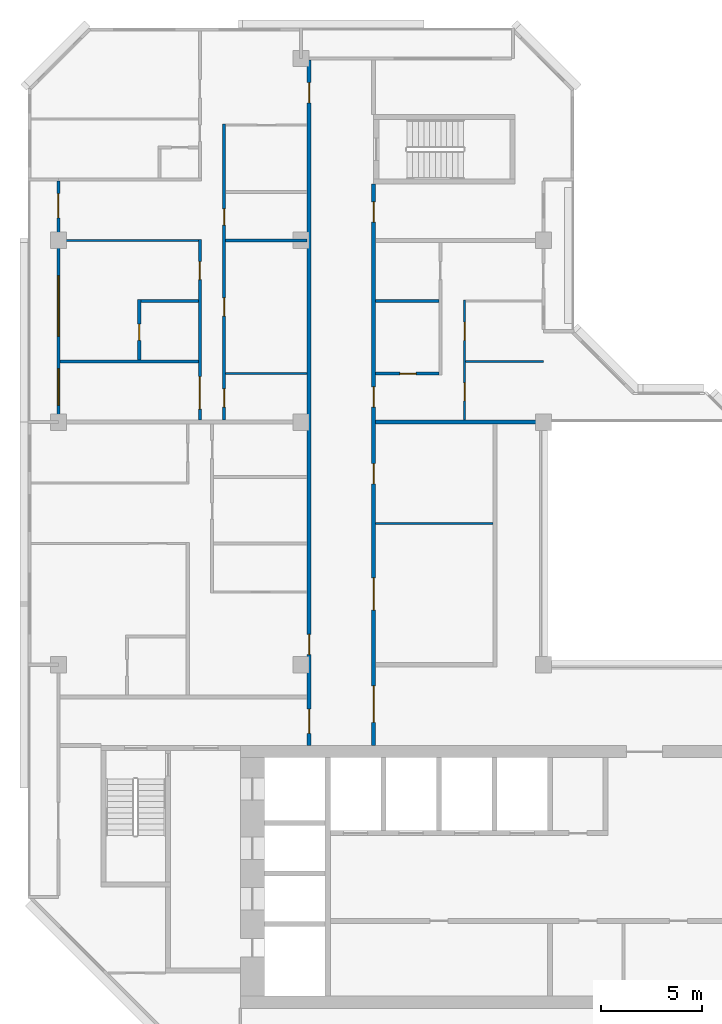
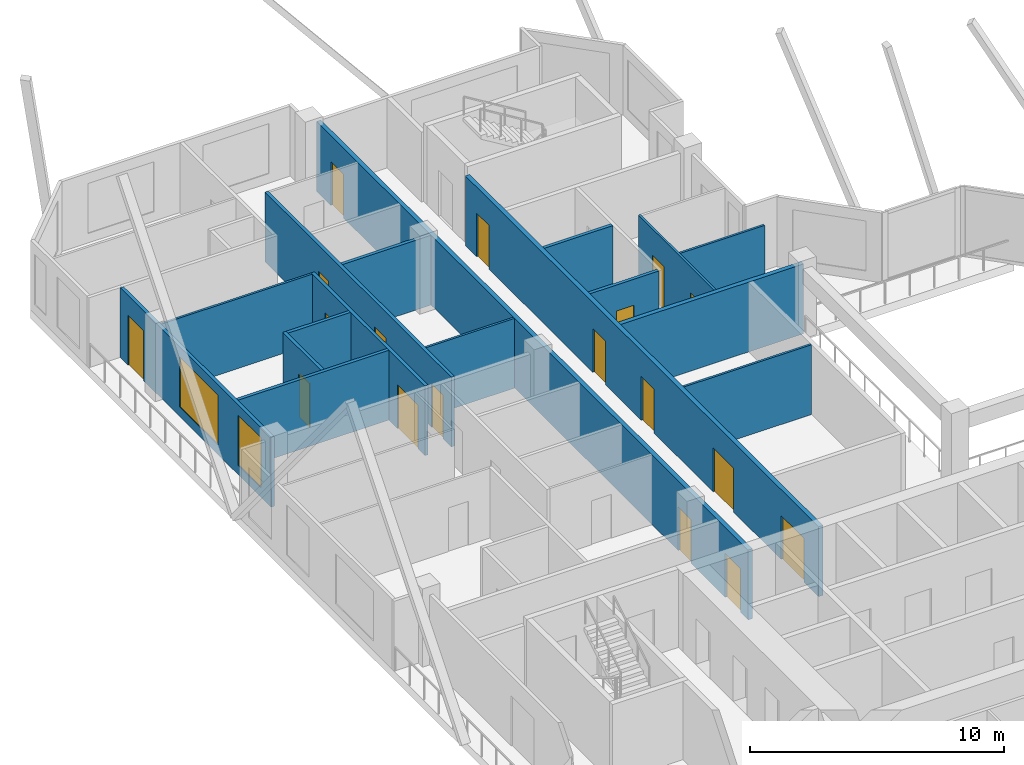
# One storey, part 9 of 13: 18 doors, 17 walls, 2 windows, 20 openings.
"""IFC4 building model written with IfcOpenShell, lengths in metres."""

from ifc_helpers import new_model, si_unit, direction, frame, frame_2d, origin, place, context, subcontext, project, spatial, rectangle, extrude, material, layer, layer_set, type_object, element, fill, save


model = new_model("IFC4")

# Units and contexts
model_context = context("Model", 3, precision=1e-05, world=origin(), true_north=direction((0.0, 1.0)))
body_context = subcontext(model_context, "Body", "Model", "MODEL_VIEW")
ifc_project = project(units=[si_unit("LENGTHUNIT", "METRE"), si_unit("AREAUNIT", "SQUARE_METRE"), si_unit("VOLUMEUNIT", "CUBIC_METRE"), si_unit("PLANEANGLEUNIT", "RADIAN"), si_unit("MASSUNIT", "GRAM", prefix="KILO")], contexts=[model_context])

# Site, building, storey
site_placement = place(None, origin())
site = spatial("IfcSite", under=ifc_project, at=site_placement, CompositionType="ELEMENT")
building_placement = place(site_placement, origin())
building = spatial("IfcBuilding", under=site, at=building_placement, Name="Chenar Terraces", CompositionType="ELEMENT")
storey_placement = place(building_placement, frame((0.0, 0.0, 310.89990234375)))
storey = spatial("IfcBuildingStorey", under=building, at=storey_placement, Name="L73", CompositionType="ELEMENT", Elevation=310.89990234375)

# Wall, openings, doors
ifc_material_1 = material(Name="Gypsum board on steel studs with fire boards", Category="steel")
ifc_layer_1 = layer(ifc_material_1, 0.199951171875)
ifc_layer_set_1 = layer_set([ifc_layer_1], Name="Gypsum board on steel studs with fire boards")
wall_type_1 = type_object("IfcWallType", Name="Corridor wall 200", PredefinedType="PARTITIONING", material=ifc_layer_set_1)
wall_1_placement = place(storey_placement, frame((12.39990234375, 20.0, 0.0), z_axis=(0.0, 0.0, 1.0), x_axis=(0.0, 1.0, 0.0)))
wall_1 = element("IfcWall", 1, at=wall_1_placement, inside=storey, type_object=wall_type_1, Name="Partition L73-034", PredefinedType="PARTITIONING", context=body_context, shape_type="SweptSolid", body=[
    extrude(rectangle(XDim=33.926025390625, YDim=0.199951171875, at=frame_2d((16.962890625, 0.0))), origin(), (0.0, 0.0, 1.0), 3.35009765625),
])
opening_1_placement = place(wall_1_placement, frame((31.800048828125, 0.0, 0.0)))
opening_1 = element("IfcOpeningElement", 2, at=opening_1_placement, cuts=wall_1, Name="Opening DL73-23", PredefinedType="OPENING", context=body_context, shape_type="SweptSolid", body=[
    extrude(rectangle(XDim=1.0, YDim=2.10009765625, at=frame_2d((0.5, 1.050048828125))), frame((0.0, 0.10986328125, 0.0), z_axis=(0.0, -1.0, 0.0), x_axis=(1.0, 0.0, 0.0)), (0.0, 0.0, 1.0), 0.219970703125),
])
opening_2_placement = place(wall_1_placement, frame((0.60009765625, 0.0, 0.0)))
opening_2 = element("IfcOpeningElement", 3, at=opening_2_placement, cuts=wall_1, Name="Opening DL73-31", PredefinedType="OPENING", context=body_context, shape_type="SweptSolid", body=[
    extrude(rectangle(XDim=1.199951171875, YDim=2.10009765625, at=frame_2d((0.60009765625, 1.050048828125))), frame((0.0, 0.10986328125, 0.0), z_axis=(0.0, -1.0, 0.0), x_axis=(1.0, 0.0, 0.0)), (0.0, 0.0, 1.0), 0.219970703125),
])
opening_3_placement = place(wall_1_placement, frame((4.5, 0.0, 0.0)))
opening_3 = element("IfcOpeningElement", 4, at=opening_3_placement, cuts=wall_1, Name="Opening DL73-55", PredefinedType="OPENING", context=body_context, shape_type="SweptSolid", body=[
    extrude(rectangle(XDim=1.0, YDim=2.10009765625, at=frame_2d((0.5, 1.050048828125))), frame((0.0, 0.10986328125, 0.0), z_axis=(0.0, -1.0, 0.0), x_axis=(1.0, 0.0, 0.0)), (0.0, 0.0, 1.0), 0.219970703125),
])
ifc_material_2 = material(Name="Steel-framed fire-resisting door leaf", Category="steel")
door_type_1 = type_object("IfcDoorType", Name="Fire door FD30S 1000 x 2100", OperationType="SINGLE_SWING_LEFT", PredefinedType="DOOR", material=ifc_material_2)
door_1_placement = place(opening_1_placement, origin())
door_1 = element("IfcDoor", 5, at=door_1_placement, inside=storey, type_object=door_type_1, Name="Door DL73-23", OperationType="SINGLE_SWING_RIGHT", OverallHeight=2.10009765625, OverallWidth=1.0, PredefinedType="DOOR", context=body_context, shape_type="SweptSolid", body=[
    extrude(rectangle(XDim=1.0, YDim=2.10009765625, at=frame_2d((0.5, 1.050048828125))), frame((0.0, 0.02490234375, 0.0), z_axis=(0.0, -1.0, 0.0), x_axis=(1.0, 0.0, 0.0)), (0.0, 0.0, 1.0), 0.050048828125),
])
fill(opening_1, door_1)
door_2_placement = place(opening_3_placement, origin())
door_2 = element("IfcDoor", 6, at=door_2_placement, inside=storey, type_object=door_type_1, Name="Door DL73-55", OperationType="SINGLE_SWING_LEFT", OverallHeight=2.10009765625, OverallWidth=1.0, PredefinedType="DOOR", context=body_context, shape_type="SweptSolid", body=[
    extrude(rectangle(XDim=1.0, YDim=2.10009765625, at=frame_2d((0.5, 1.050048828125))), frame((0.0, 0.02490234375, 0.0), z_axis=(0.0, -1.0, 0.0), x_axis=(1.0, 0.0, 0.0)), (0.0, 0.0, 1.0), 0.050048828125),
])
fill(opening_3, door_2)
ifc_material_3 = material(Name="Steel-framed fire-resisting door leaf", Category="steel")
door_type_2 = type_object("IfcDoorType", Name="Fire door FD30S 1200 x 2100", OperationType="SINGLE_SWING_LEFT", PredefinedType="DOOR", material=ifc_material_3)
door_3_placement = place(opening_2_placement, origin())
door_3 = element("IfcDoor", 7, at=door_3_placement, inside=storey, type_object=door_type_2, Name="Door DL73-31", OperationType="SINGLE_SWING_RIGHT", OverallHeight=2.10009765625, OverallWidth=1.199951171875, PredefinedType="DOOR", context=body_context, shape_type="SweptSolid", body=[
    extrude(rectangle(XDim=1.199951171875, YDim=2.10009765625, at=frame_2d((0.60009765625, 1.050048828125))), frame((0.0, 0.02490234375, 0.0), z_axis=(0.0, -1.0, 0.0), x_axis=(1.0, 0.0, 0.0)), (0.0, 0.0, 1.0), 0.050048828125),
])
fill(opening_2, door_3)

wall_2_placement = place(storey_placement, frame((15.60009765625, 20.0, 0.0), z_axis=(0.0, 0.0, 1.0), x_axis=(0.0, 1.0, 0.0)))
wall_2 = element("IfcWall", 8, at=wall_2_placement, inside=storey, type_object=wall_type_1, Name="Partition L73-036", PredefinedType="PARTITIONING", context=body_context, shape_type="SweptSolid", body=[
    extrude(rectangle(XDim=27.77490234375, YDim=0.199951171875, at=frame_2d((13.887451171875, 0.0))), origin(), (0.0, 0.0, 1.0), 3.35009765625),
])
opening_4_placement = place(wall_2_placement, frame((6.699951171875, 0.0, 0.0)))
opening_4 = element("IfcOpeningElement", 9, at=opening_4_placement, cuts=wall_2, Name="Opening DL73-1", PredefinedType="OPENING", context=body_context, shape_type="SweptSolid", body=[
    extrude(rectangle(XDim=1.60009765625, YDim=2.10009765625, at=frame_2d((0.800048828125, 1.050048828125))), frame((0.0, 0.10986328125, 0.0), z_axis=(0.0, -1.0, 0.0), x_axis=(1.0, 0.0, 0.0)), (0.0, 0.0, 1.0), 0.219970703125),
])
opening_5_placement = place(wall_2_placement, frame((12.949951171875, 0.0, 0.0)))
opening_5 = element("IfcOpeningElement", 10, at=opening_5_placement, cuts=wall_2, Name="Opening DL73-2", PredefinedType="OPENING", context=body_context, shape_type="SweptSolid", body=[
    extrude(rectangle(XDim=1.0, YDim=2.10009765625, at=frame_2d((0.5, 1.050048828125))), frame((0.0, 0.10986328125, 0.0), z_axis=(0.0, -1.0, 0.0), x_axis=(1.0, 0.0, 0.0)), (0.0, 0.0, 1.0), 0.219970703125),
])
opening_6_placement = place(wall_2_placement, frame((16.75, 0.0, 0.0)))
opening_6 = element("IfcOpeningElement", 11, at=opening_6_placement, cuts=wall_2, Name="Opening DL73-17", PredefinedType="OPENING", context=body_context, shape_type="SweptSolid", body=[
    extrude(rectangle(XDim=1.0, YDim=2.10009765625, at=frame_2d((0.5, 1.050048828125))), frame((0.0, 0.10986328125, 0.0), z_axis=(0.0, -1.0, 0.0), x_axis=(1.0, 0.0, 0.0)), (0.0, 0.0, 1.0), 0.219970703125),
])
opening_7_placement = place(wall_2_placement, frame((1.14990234375, 0.0, 0.0)))
opening_7 = element("IfcOpeningElement", 12, at=opening_7_placement, cuts=wall_2, Name="Opening DL73-30", PredefinedType="OPENING", context=body_context, shape_type="SweptSolid", body=[
    extrude(rectangle(XDim=1.800048828125, YDim=2.10009765625, at=frame_2d((0.89990234375, 1.050048828125))), frame((0.0, 0.10986328125, 0.0), z_axis=(0.0, -1.0, 0.0), x_axis=(1.0, 0.0, 0.0)), (0.0, 0.0, 1.0), 0.219970703125),
])
opening_8_placement = place(wall_2_placement, frame((25.89990234375, 0.0, 0.0)))
opening_8 = element("IfcOpeningElement", 13, at=opening_8_placement, cuts=wall_2, Name="Opening DL73-33", PredefinedType="OPENING", context=body_context, shape_type="SweptSolid", body=[
    extrude(rectangle(XDim=1.0, YDim=2.10009765625, at=frame_2d((0.5, 1.050048828125))), frame((0.0, 0.10986328125, 0.0), z_axis=(0.0, -1.0, 0.0), x_axis=(1.0, 0.0, 0.0)), (0.0, 0.0, 1.0), 0.219970703125),
])
ifc_material_4 = material(Name="Steel-framed fire-resisting door leaf", Category="steel")
door_type_3 = type_object("IfcDoorType", Name="Fire door FD60 1000 x 2100", OperationType="SINGLE_SWING_LEFT", PredefinedType="DOOR", material=ifc_material_4)
door_4_placement = place(opening_5_placement, frame((1.0, 0.0, 0.0), z_axis=(0.0, 0.0, 1.0), x_axis=(-1.0, 0.0, 0.0)))
door_4 = element("IfcDoor", 14, at=door_4_placement, inside=storey, type_object=door_type_3, Name="Door DL73-2", OperationType="SINGLE_SWING_LEFT", OverallHeight=2.10009765625, OverallWidth=1.0, PredefinedType="DOOR", context=body_context, shape_type="SweptSolid", body=[
    extrude(rectangle(XDim=1.0, YDim=2.10009765625, at=frame_2d((0.5, 1.050048828125))), frame((0.0, 0.02490234375, 0.0), z_axis=(0.0, -1.0, 0.0), x_axis=(1.0, 0.0, 0.0)), (0.0, 0.0, 1.0), 0.050048828125),
])
fill(opening_5, door_4)
door_5_placement = place(opening_6_placement, frame((1.0, 0.0, 0.0), z_axis=(0.0, 0.0, 1.0), x_axis=(-1.0, 0.0, 0.0)))
door_5 = element("IfcDoor", 15, at=door_5_placement, inside=storey, type_object=door_type_3, Name="Door DL73-17", OperationType="SINGLE_SWING_LEFT", OverallHeight=2.10009765625, OverallWidth=1.0, PredefinedType="DOOR", context=body_context, shape_type="SweptSolid", body=[
    extrude(rectangle(XDim=1.0, YDim=2.10009765625, at=frame_2d((0.5, 1.050048828125))), frame((0.0, 0.02490234375, 0.0), z_axis=(0.0, -1.0, 0.0), x_axis=(1.0, 0.0, 0.0)), (0.0, 0.0, 1.0), 0.050048828125),
])
fill(opening_6, door_5)
door_6_placement = place(opening_8_placement, frame((1.0, 0.0, 0.0), z_axis=(0.0, 0.0, 1.0), x_axis=(-1.0, 0.0, 0.0)))
door_6 = element("IfcDoor", 16, at=door_6_placement, inside=storey, type_object=door_type_3, Name="Door DL73-33", OperationType="SINGLE_SWING_RIGHT", OverallHeight=2.10009765625, OverallWidth=1.0, PredefinedType="DOOR", context=body_context, shape_type="SweptSolid", body=[
    extrude(rectangle(XDim=1.0, YDim=2.10009765625, at=frame_2d((0.5, 1.050048828125))), frame((0.0, 0.02490234375, 0.0), z_axis=(0.0, -1.0, 0.0), x_axis=(1.0, 0.0, 0.0)), (0.0, 0.0, 1.0), 0.050048828125),
])
fill(opening_8, door_6)
ifc_material_5 = material(Name="Steel-framed fire-resisting door leaf", Category="steel")
door_type_4 = type_object("IfcDoorType", Name="Fire double door FD60 1600 x 2100", OperationType="DOUBLE_DOOR_SINGLE_SWING", PredefinedType="DOOR", material=ifc_material_5)
door_7_placement = place(opening_4_placement, frame((1.60009765625, 0.0, 0.0), z_axis=(0.0, 0.0, 1.0), x_axis=(-1.0, 0.0, 0.0)))
door_7 = element("IfcDoor", 17, at=door_7_placement, inside=storey, type_object=door_type_4, Name="Door DL73-1", OperationType="DOUBLE_DOOR_SINGLE_SWING", OverallHeight=2.10009765625, OverallWidth=1.60009765625, PredefinedType="DOOR", context=body_context, shape_type="SweptSolid", body=[
    extrude(rectangle(XDim=1.60009765625, YDim=2.10009765625, at=frame_2d((0.800048828125, 1.050048828125))), frame((0.0, 0.02490234375, 0.0), z_axis=(0.0, -1.0, 0.0), x_axis=(1.0, 0.0, 0.0)), (0.0, 0.0, 1.0), 0.050048828125),
])
fill(opening_4, door_7)
ifc_material_6 = material(Name="Steel-framed fire-resisting door leaf", Category="steel")
door_type_5 = type_object("IfcDoorType", Name="Fire double door FD60 1800 x 2100", OperationType="DOUBLE_DOOR_SINGLE_SWING", PredefinedType="DOOR", material=ifc_material_6)
door_8_placement = place(opening_7_placement, frame((1.800048828125, 0.0, 0.0), z_axis=(0.0, 0.0, 1.0), x_axis=(-1.0, 0.0, 0.0)))
door_8 = element("IfcDoor", 18, at=door_8_placement, inside=storey, type_object=door_type_5, Name="Door DL73-30", OperationType="DOUBLE_DOOR_SINGLE_SWING", OverallHeight=2.10009765625, OverallWidth=1.800048828125, PredefinedType="DOOR", context=body_context, shape_type="SweptSolid", body=[
    extrude(rectangle(XDim=1.800048828125, YDim=2.10009765625, at=frame_2d((0.89990234375, 1.050048828125))), frame((0.0, 0.02490234375, 0.0), z_axis=(0.0, -1.0, 0.0), x_axis=(1.0, 0.0, 0.0)), (0.0, 0.0, 1.0), 0.050048828125),
])
fill(opening_7, door_8)

# Wall, openings, windows, door
ifc_material_7 = material(Name="Aluminium framed glazing", Category="aluminium")
ifc_layer_2 = layer(ifc_material_7, 0.14990234375)
ifc_layer_set_2 = layer_set([ifc_layer_2], Name="Aluminium framed glazing")
wall_type_2 = type_object("IfcWallType", Name="Glazed loggia back wall 150", PredefinedType="SOLIDWALL", material=ifc_layer_set_2)
wall_3_placement = place(storey_placement, frame((0.0, 47.925048828125, 0.0), z_axis=(0.0, 0.0, 1.0), x_axis=(0.0, -1.0, 0.0)))
wall_3 = element("IfcWall", 19, at=wall_3_placement, inside=storey, type_object=wall_type_2, Name="Glazed loggia back wall", PredefinedType="SOLIDWALL", context=body_context, shape_type="SweptSolid", body=[
    extrude(rectangle(XDim=11.85009765625, YDim=0.14990234375, at=frame_2d((5.925048828125, 0.0))), origin(), (0.0, 0.0, 1.0), 3.35009765625),
])
opening_9_placement = place(wall_3_placement, frame((0.612548828125, 0.0, 0.0)))
opening_9 = element("IfcOpeningElement", 20, at=opening_9_placement, cuts=wall_3, Name="Opening DL73-G2", PredefinedType="OPENING", context=body_context, shape_type="SweptSolid", body=[
    extrude(rectangle(XDim=1.199951171875, YDim=2.39990234375, at=frame_2d((0.60009765625, 1.199951171875))), frame((0.0, 0.0849609375, 0.0), z_axis=(0.0, -1.0, 0.0), x_axis=(1.0, 0.0, 0.0)), (0.0, 0.0, 1.0), 0.169921875),
])
opening_10_placement = place(wall_3_placement, frame((4.675048828125, 0.0, 0.449951171875)))
opening_10 = element("IfcOpeningElement", 21, at=opening_10_placement, cuts=wall_3, Name="Opening W300x240", PredefinedType="OPENING", context=body_context, shape_type="SweptSolid", body=[
    extrude(rectangle(XDim=3.0, YDim=2.39990234375, at=frame_2d((1.5, 1.199951171875))), frame((0.0, 0.0849609375, 0.0), z_axis=(0.0, -1.0, 0.0), x_axis=(1.0, 0.0, 0.0)), (0.0, 0.0, 1.0), 0.169921875),
])
opening_11_placement = place(wall_3_placement, frame((9.27490234375, 0.0, 0.449951171875)))
opening_11 = element("IfcOpeningElement", 22, at=opening_11_placement, cuts=wall_3, Name="Opening W180x240", PredefinedType="OPENING", context=body_context, shape_type="SweptSolid", body=[
    extrude(rectangle(XDim=1.800048828125, YDim=2.39990234375, at=frame_2d((0.89990234375, 1.199951171875))), frame((0.0, 0.0849609375, 0.0), z_axis=(0.0, -1.0, 0.0), x_axis=(1.0, 0.0, 0.0)), (0.0, 0.0, 1.0), 0.169921875),
])
ifc_material_8 = material(Name="Low emissivity double glazing, aluminium frame", Category="aluminium")
window_type_1 = type_object("IfcWindowType", Name="Fixed light 1800 x 2400", PartitioningType="SINGLE_PANEL", PredefinedType="WINDOW", material=ifc_material_8)
window_1_placement = place(opening_11_placement, origin())
window_1 = element("IfcWindow", 23, at=window_1_placement, inside=storey, type_object=window_type_1, Name="Window", OverallHeight=2.39990234375, OverallWidth=1.800048828125, PartitioningType="SINGLE_PANEL", PredefinedType="WINDOW", context=body_context, shape_type="SweptSolid", body=[
    extrude(rectangle(XDim=1.800048828125, YDim=2.39990234375, at=frame_2d((0.89990234375, 1.199951171875))), frame((0.0, 0.030029296875, 0.0), z_axis=(0.0, -1.0, 0.0), x_axis=(1.0, 0.0, 0.0)), (0.0, 0.0, 1.0), 0.06005859375),
])
fill(opening_11, window_1)
ifc_material_9 = material(Name="Low emissivity double glazing, aluminium frame", Category="aluminium")
window_type_2 = type_object("IfcWindowType", Name="Fixed light 3000 x 2400", PartitioningType="SINGLE_PANEL", PredefinedType="WINDOW", material=ifc_material_9)
window_2_placement = place(opening_10_placement, origin())
window_2 = element("IfcWindow", 24, at=window_2_placement, inside=storey, type_object=window_type_2, Name="Window", OverallHeight=2.39990234375, OverallWidth=3.0, PartitioningType="SINGLE_PANEL", PredefinedType="WINDOW", context=body_context, shape_type="SweptSolid", body=[
    extrude(rectangle(XDim=3.0, YDim=2.39990234375, at=frame_2d((1.5, 1.199951171875))), frame((0.0, 0.030029296875, 0.0), z_axis=(0.0, -1.0, 0.0), x_axis=(1.0, 0.0, 0.0)), (0.0, 0.0, 1.0), 0.06005859375),
])
fill(opening_10, window_2)
ifc_material_10 = material(Name="Low emissivity double glazing, aluminium frame", Category="aluminium")
door_type_6 = type_object("IfcDoorType", Name="Loggia glazed double door 1200 x 2400", OperationType="DOUBLE_DOOR_SINGLE_SWING", PredefinedType="DOOR", material=ifc_material_10)
door_9_placement = place(opening_9_placement, frame((1.199951171875, 0.0, 0.0), z_axis=(0.0, 0.0, 1.0), x_axis=(-1.0, 0.0, 0.0)))
door_9 = element("IfcDoor", 25, at=door_9_placement, inside=storey, type_object=door_type_6, Name="Loggia glazed door", OperationType="DOUBLE_DOOR_SINGLE_SWING", OverallHeight=2.39990234375, OverallWidth=1.199951171875, PredefinedType="DOOR", context=body_context, shape_type="SweptSolid", body=[
    extrude(rectangle(XDim=1.199951171875, YDim=2.39990234375, at=frame_2d((0.60009765625, 1.199951171875))), frame((0.0, 0.02490234375, 0.0), z_axis=(0.0, -1.0, 0.0), x_axis=(1.0, 0.0, 0.0)), (0.0, 0.0, 1.0), 0.050048828125),
])
fill(opening_9, door_9)

# Walls
ifc_material_11 = material(Name="Gypsum board on steel studs", Category="steel")
ifc_layer_3 = layer(ifc_material_11, 0.10009765625)
ifc_layer_set_3 = layer_set([ifc_layer_3], Name="Gypsum board on steel studs")
wall_type_3 = type_object("IfcWallType", Name="Gypsum partition 100", PredefinedType="PARTITIONING", material=ifc_layer_set_3)
wall_4_placement = place(storey_placement, frame((0.073974609375, 45.0, 0.0), z_axis=(0.0, 0.0, 1.0), x_axis=(1.0, 0.0, 0.0)))
element("IfcWall", 26, at=wall_4_placement, inside=storey, type_object=wall_type_3, Name="Partition L73-009", PredefinedType="PARTITIONING", context=body_context, shape_type="SweptSolid", body=[
    extrude(rectangle(XDim=6.85107421875, YDim=0.10009765625, at=frame_2d((3.425537109375, 0.0))), origin(), (0.0, 0.0, 1.0), 3.35009765625),
])
wall_5_placement = place(storey_placement, frame((8.27490234375, 38.39990234375, 0.0), z_axis=(0.0, 0.0, 1.0), x_axis=(1.0, 0.0, 0.0)))
element("IfcWall", 27, at=wall_5_placement, inside=storey, type_object=wall_type_3, Name="Partition L73-026", PredefinedType="PARTITIONING", context=body_context, shape_type="SweptSolid", body=[
    extrude(rectangle(XDim=4.025146484375, YDim=0.10009765625, at=frame_2d((2.0126953125, 0.0))), origin(), (0.0, 0.0, 1.0), 3.35009765625),
])
wall_6_placement = place(storey_placement, frame((15.699951171875, 31.0, 0.0), z_axis=(0.0, 0.0, 1.0), x_axis=(1.0, 0.0, 0.0)))
element("IfcWall", 28, at=wall_6_placement, inside=storey, type_object=wall_type_3, Name="Partition L73-039", PredefinedType="PARTITIONING", context=body_context, shape_type="SweptSolid", body=[
    extrude(rectangle(XDim=5.800048828125, YDim=0.10009765625, at=frame_2d((2.89990234375, 0.0))), origin(), (0.0, 0.0, 1.0), 3.35009765625),
])

# Wall, openings, doors
wall_7_placement = place(storey_placement, frame((20.10009765625, 36.10009765625, 0.0), z_axis=(0.0, 0.0, 1.0), x_axis=(0.0, 1.0, 0.0)))
wall_7 = element("IfcWall", 29, at=wall_7_placement, inside=storey, type_object=wall_type_3, Name="Partition L73-047", PredefinedType="PARTITIONING", context=body_context, shape_type="SweptSolid", body=[
    extrude(rectangle(XDim=5.949951171875, YDim=0.10009765625, at=frame_2d((2.97509765625, 0.0))), origin(), (0.0, 0.0, 1.0), 3.35009765625),
])
opening_12_placement = place(wall_7_placement, frame((0.949951171875, 0.0, 0.0)))
opening_12 = element("IfcOpeningElement", 30, at=opening_12_placement, cuts=wall_7, Name="Opening DL73-14", PredefinedType="OPENING", context=body_context, shape_type="SweptSolid", body=[
    extrude(rectangle(XDim=0.89990234375, YDim=2.10009765625, at=frame_2d((0.449951171875, 1.050048828125))), frame((0.0, 0.06005859375, 0.0), z_axis=(0.0, -1.0, 0.0), x_axis=(1.0, 0.0, 0.0)), (0.0, 0.0, 1.0), 0.1201171875),
])
opening_13_placement = place(wall_7_placement, frame((3.949951171875, 0.0, 0.0)))
opening_13 = element("IfcOpeningElement", 31, at=opening_13_placement, cuts=wall_7, Name="Opening DL73-15", PredefinedType="OPENING", context=body_context, shape_type="SweptSolid", body=[
    extrude(rectangle(XDim=0.89990234375, YDim=2.10009765625, at=frame_2d((0.449951171875, 1.050048828125))), frame((0.0, 0.06005859375, 0.0), z_axis=(0.0, -1.0, 0.0), x_axis=(1.0, 0.0, 0.0)), (0.0, 0.0, 1.0), 0.1201171875),
])
ifc_material_12 = material(Name="Veneered timber door leaf", Category="wood")
door_type_7 = type_object("IfcDoorType", Name="Door 900 x 2100", OperationType="SINGLE_SWING_LEFT", PredefinedType="DOOR", material=ifc_material_12)
door_10_placement = place(opening_12_placement, frame((0.89990234375, 0.0, 0.0), z_axis=(0.0, 0.0, 1.0), x_axis=(-1.0, 0.0, 0.0)))
door_10 = element("IfcDoor", 32, at=door_10_placement, inside=storey, type_object=door_type_7, Name="Door DL73-14", OperationType="SINGLE_SWING_LEFT", OverallHeight=2.10009765625, OverallWidth=0.89990234375, PredefinedType="DOOR", context=body_context, shape_type="SweptSolid", body=[
    extrude(rectangle(XDim=0.89990234375, YDim=2.10009765625, at=frame_2d((0.449951171875, 1.050048828125))), frame((0.0, 0.02490234375, 0.0), z_axis=(0.0, -1.0, 0.0), x_axis=(1.0, 0.0, 0.0)), (0.0, 0.0, 1.0), 0.050048828125),
])
fill(opening_12, door_10)
door_11_placement = place(opening_13_placement, frame((0.89990234375, 0.0, 0.0), z_axis=(0.0, 0.0, 1.0), x_axis=(-1.0, 0.0, 0.0)))
door_11 = element("IfcDoor", 33, at=door_11_placement, inside=storey, type_object=door_type_7, Name="Door DL73-15", OperationType="SINGLE_SWING_LEFT", OverallHeight=2.10009765625, OverallWidth=0.89990234375, PredefinedType="DOOR", context=body_context, shape_type="SweptSolid", body=[
    extrude(rectangle(XDim=0.89990234375, YDim=2.10009765625, at=frame_2d((0.449951171875, 1.050048828125))), frame((0.0, 0.02490234375, 0.0), z_axis=(0.0, -1.0, 0.0), x_axis=(1.0, 0.0, 0.0)), (0.0, 0.0, 1.0), 0.050048828125),
])
fill(opening_13, door_11)

# Walls
wall_8_placement = place(storey_placement, frame((20.14990234375, 39.0, 0.0), z_axis=(0.0, 0.0, 1.0), x_axis=(1.0, 0.0, 0.0)))
element("IfcWall", 34, at=wall_8_placement, inside=storey, type_object=wall_type_3, Name="Partition L73-048", PredefinedType="PARTITIONING", context=body_context, shape_type="SweptSolid", body=[
    extrude(rectangle(XDim=3.85009765625, YDim=0.10009765625, at=frame_2d((1.925048828125, 0.0))), origin(), (0.0, 0.0, 1.0), 3.35009765625),
])
ifc_material_13 = material(Name="Twin gypsum board on steel studs with mineral wool", Category="steel")
ifc_layer_4 = layer(ifc_material_13, 0.199951171875)
ifc_layer_set_4 = layer_set([ifc_layer_4], Name="Twin gypsum board on steel studs with mineral wool")
wall_type_4 = type_object("IfcWallType", Name="Unit demising wall 200", PredefinedType="PARTITIONING", material=ifc_layer_set_4)
wall_9_placement = place(storey_placement, frame((15.699951171875, 36.0, 0.0), z_axis=(0.0, 0.0, 1.0), x_axis=(1.0, 0.0, 0.0)))
element("IfcWall", 35, at=wall_9_placement, inside=storey, type_object=wall_type_4, Name="Partition L73-040", PredefinedType="PARTITIONING", context=body_context, shape_type="SweptSolid", body=[
    extrude(rectangle(XDim=8.300048828125, YDim=0.199951171875, at=frame_2d((4.14990234375, 0.0))), origin(), (0.0, 0.0, 1.0), 3.35009765625),
])
ifc_material_14 = material(Name="Moisture-resistant gypsum board on steel studs", Category="steel")
ifc_layer_5 = layer(ifc_material_14, 0.14990234375)
ifc_layer_set_5 = layer_set([ifc_layer_5], Name="Moisture-resistant gypsum board on steel studs")
wall_type_5 = type_object("IfcWallType", Name="Wet-room partition 150", PredefinedType="PARTITIONING", material=ifc_layer_set_5)
wall_10_placement = place(storey_placement, frame((0.073974609375, 39.0, 0.0), z_axis=(0.0, 0.0, 1.0), x_axis=(1.0, 0.0, 0.0)))
element("IfcWall", 36, at=wall_10_placement, inside=storey, type_object=wall_type_5, Name="Partition L73-008", PredefinedType="PARTITIONING", context=body_context, shape_type="SweptSolid", body=[
    extrude(rectangle(XDim=6.85107421875, YDim=0.14990234375, at=frame_2d((3.425537109375, 0.0))), origin(), (0.0, 0.0, 1.0), 3.35009765625),
])

# Wall, opening, door
wall_11_placement = place(storey_placement, frame((4.0, 39.074951171875, 0.0), z_axis=(0.0, 0.0, 1.0), x_axis=(0.0, 1.0, 0.0)))
wall_11 = element("IfcWall", 37, at=wall_11_placement, inside=storey, type_object=wall_type_5, Name="Partition L73-013", PredefinedType="PARTITIONING", context=body_context, shape_type="SweptSolid", body=[
    extrude(rectangle(XDim=3.0, YDim=0.14990234375, at=frame_2d((1.5, 0.0))), origin(), (0.0, 0.0, 1.0), 3.35009765625),
])
opening_14_placement = place(wall_11_placement, frame((0.97509765625, 0.0, 0.0)))
opening_14 = element("IfcOpeningElement", 38, at=opening_14_placement, cuts=wall_11, Name="Opening DL73-21", PredefinedType="OPENING", context=body_context, shape_type="SweptSolid", body=[
    extrude(rectangle(XDim=0.800048828125, YDim=2.10009765625, at=frame_2d((0.39990234375, 1.050048828125))), frame((0.0, 0.0849609375, 0.0), z_axis=(0.0, -1.0, 0.0), x_axis=(1.0, 0.0, 0.0)), (0.0, 0.0, 1.0), 0.169921875),
])
ifc_material_15 = material(Name="Veneered timber door leaf", Category="wood")
door_type_8 = type_object("IfcDoorType", Name="Door 800 x 2100", OperationType="SINGLE_SWING_LEFT", PredefinedType="DOOR", material=ifc_material_15)
door_12_placement = place(opening_14_placement, frame((0.800048828125, 0.0, 0.0), z_axis=(0.0, 0.0, 1.0), x_axis=(-1.0, 0.0, 0.0)))
door_12 = element("IfcDoor", 39, at=door_12_placement, inside=storey, type_object=door_type_8, Name="Door DL73-21", OperationType="SINGLE_SWING_RIGHT", OverallHeight=2.10009765625, OverallWidth=0.800048828125, PredefinedType="DOOR", context=body_context, shape_type="SweptSolid", body=[
    extrude(rectangle(XDim=0.800048828125, YDim=2.10009765625, at=frame_2d((0.39990234375, 1.050048828125))), frame((0.0, 0.02490234375, 0.0), z_axis=(0.0, -1.0, 0.0), x_axis=(1.0, 0.0, 0.0)), (0.0, 0.0, 1.0), 0.050048828125),
])
fill(opening_14, door_12)

# Wall
wall_12_placement = place(storey_placement, frame((4.074951171875, 42.0, 0.0), z_axis=(0.0, 0.0, 1.0), x_axis=(1.0, 0.0, 0.0)))
element("IfcWall", 40, at=wall_12_placement, inside=storey, type_object=wall_type_5, Name="Partition L73-014", PredefinedType="PARTITIONING", context=body_context, shape_type="SweptSolid", body=[
    extrude(rectangle(XDim=2.85009765625, YDim=0.14990234375, at=frame_2d((1.425048828125, 0.0))), origin(), (0.0, 0.0, 1.0), 3.35009765625),
])

# Wall, openings, doors
wall_13_placement = place(storey_placement, frame((7.0, 36.10009765625, 0.0), z_axis=(0.0, 0.0, 1.0), x_axis=(0.0, 1.0, 0.0)))
wall_13 = element("IfcWall", 41, at=wall_13_placement, inside=storey, type_object=wall_type_5, Name="Partition L73-019", PredefinedType="PARTITIONING", context=body_context, shape_type="SweptSolid", body=[
    extrude(rectangle(XDim=8.949951171875, YDim=0.14990234375, at=frame_2d((4.47509765625, 0.0))), origin(), (0.0, 0.0, 1.0), 3.35009765625),
])
opening_15_placement = place(wall_13_placement, frame((6.949951171875, 0.0, 0.0)))
opening_15 = element("IfcOpeningElement", 42, at=opening_15_placement, cuts=wall_13, Name="Opening DL73-20", PredefinedType="OPENING", context=body_context, shape_type="SweptSolid", body=[
    extrude(rectangle(XDim=0.89990234375, YDim=2.10009765625, at=frame_2d((0.449951171875, 1.050048828125))), frame((0.0, 0.0849609375, 0.0), z_axis=(0.0, -1.0, 0.0), x_axis=(1.0, 0.0, 0.0)), (0.0, 0.0, 1.0), 0.169921875),
])
opening_16_placement = place(wall_13_placement, frame((0.550048828125, 0.0, 0.0)))
opening_16 = element("IfcOpeningElement", 43, at=opening_16_placement, cuts=wall_13, Name="Opening DL73-26", PredefinedType="OPENING", context=body_context, shape_type="SweptSolid", body=[
    extrude(rectangle(XDim=1.60009765625, YDim=2.10009765625, at=frame_2d((0.800048828125, 1.050048828125))), frame((0.0, 0.0849609375, 0.0), z_axis=(0.0, -1.0, 0.0), x_axis=(1.0, 0.0, 0.0)), (0.0, 0.0, 1.0), 0.169921875),
])
door_13_placement = place(opening_15_placement, origin())
door_13 = element("IfcDoor", 44, at=door_13_placement, inside=storey, type_object=door_type_7, Name="Door DL73-20", OperationType="SINGLE_SWING_RIGHT", OverallHeight=2.10009765625, OverallWidth=0.89990234375, PredefinedType="DOOR", context=body_context, shape_type="SweptSolid", body=[
    extrude(rectangle(XDim=0.89990234375, YDim=2.10009765625, at=frame_2d((0.449951171875, 1.050048828125))), frame((0.0, 0.02490234375, 0.0), z_axis=(0.0, -1.0, 0.0), x_axis=(1.0, 0.0, 0.0)), (0.0, 0.0, 1.0), 0.050048828125),
])
fill(opening_15, door_13)
ifc_material_16 = material(Name="Veneered timber door leaf", Category="wood")
door_type_9 = type_object("IfcDoorType", Name="Double door 1600 x 2100", OperationType="DOUBLE_DOOR_SINGLE_SWING", PredefinedType="DOOR", material=ifc_material_16)
door_14_placement = place(opening_16_placement, origin())
door_14 = element("IfcDoor", 45, at=door_14_placement, inside=storey, type_object=door_type_9, Name="Door DL73-26", OperationType="DOUBLE_DOOR_SINGLE_SWING", OverallHeight=2.10009765625, OverallWidth=1.60009765625, PredefinedType="DOOR", context=body_context, shape_type="SweptSolid", body=[
    extrude(rectangle(XDim=1.60009765625, YDim=2.10009765625, at=frame_2d((0.800048828125, 1.050048828125))), frame((0.0, 0.02490234375, 0.0), z_axis=(0.0, -1.0, 0.0), x_axis=(1.0, 0.0, 0.0)), (0.0, 0.0, 1.0), 0.050048828125),
])
fill(opening_16, door_14)

wall_14_placement = place(storey_placement, frame((8.199951171875, 36.10009765625, 0.0), z_axis=(0.0, 0.0, 1.0), x_axis=(0.0, 1.0, 0.0)))
wall_14 = element("IfcWall", 46, at=wall_14_placement, inside=storey, type_object=wall_type_5, Name="Partition L73-025", PredefinedType="PARTITIONING", context=body_context, shape_type="SweptSolid", body=[
    extrude(rectangle(XDim=14.64990234375, YDim=0.14990234375, at=frame_2d((7.324951171875, 0.0))), origin(), (0.0, 0.0, 1.0), 3.35009765625),
])
opening_17_placement = place(wall_14_placement, frame((9.64990234375, 0.0, 0.0)))
opening_17 = element("IfcOpeningElement", 47, at=opening_17_placement, cuts=wall_14, Name="Opening DL73-18", PredefinedType="OPENING", context=body_context, shape_type="SweptSolid", body=[
    extrude(rectangle(XDim=0.800048828125, YDim=2.10009765625, at=frame_2d((0.39990234375, 1.050048828125))), frame((0.0, 0.0849609375, 0.0), z_axis=(0.0, -1.0, 0.0), x_axis=(1.0, 0.0, 0.0)), (0.0, 0.0, 1.0), 0.169921875),
])
opening_18_placement = place(wall_14_placement, frame((5.14990234375, 0.0, 0.0)))
opening_18 = element("IfcOpeningElement", 48, at=opening_18_placement, cuts=wall_14, Name="Opening DL73-22", PredefinedType="OPENING", context=body_context, shape_type="SweptSolid", body=[
    extrude(rectangle(XDim=0.89990234375, YDim=2.10009765625, at=frame_2d((0.449951171875, 1.050048828125))), frame((0.0, 0.0849609375, 0.0), z_axis=(0.0, -1.0, 0.0), x_axis=(1.0, 0.0, 0.0)), (0.0, 0.0, 1.0), 0.169921875),
])
opening_19_placement = place(wall_14_placement, frame((0.64990234375, 0.0, 0.0)))
opening_19 = element("IfcOpeningElement", 49, at=opening_19_placement, cuts=wall_14, Name="Opening DL73-27", PredefinedType="OPENING", context=body_context, shape_type="SweptSolid", body=[
    extrude(rectangle(XDim=0.89990234375, YDim=2.10009765625, at=frame_2d((0.449951171875, 1.050048828125))), frame((0.0, 0.0849609375, 0.0), z_axis=(0.0, -1.0, 0.0), x_axis=(1.0, 0.0, 0.0)), (0.0, 0.0, 1.0), 0.169921875),
])
door_15_placement = place(opening_17_placement, frame((0.800048828125, 0.0, 0.0), z_axis=(0.0, 0.0, 1.0), x_axis=(-1.0, 0.0, 0.0)))
door_15 = element("IfcDoor", 50, at=door_15_placement, inside=storey, type_object=door_type_8, Name="Door DL73-18", OperationType="SINGLE_SWING_RIGHT", OverallHeight=2.10009765625, OverallWidth=0.800048828125, PredefinedType="DOOR", context=body_context, shape_type="SweptSolid", body=[
    extrude(rectangle(XDim=0.800048828125, YDim=2.10009765625, at=frame_2d((0.39990234375, 1.050048828125))), frame((0.0, 0.02490234375, 0.0), z_axis=(0.0, -1.0, 0.0), x_axis=(1.0, 0.0, 0.0)), (0.0, 0.0, 1.0), 0.050048828125),
])
fill(opening_17, door_15)
door_16_placement = place(opening_18_placement, frame((0.89990234375, 0.0, 0.0), z_axis=(0.0, 0.0, 1.0), x_axis=(-1.0, 0.0, 0.0)))
door_16 = element("IfcDoor", 51, at=door_16_placement, inside=storey, type_object=door_type_7, Name="Door DL73-22", OperationType="SINGLE_SWING_LEFT", OverallHeight=2.10009765625, OverallWidth=0.89990234375, PredefinedType="DOOR", context=body_context, shape_type="SweptSolid", body=[
    extrude(rectangle(XDim=0.89990234375, YDim=2.10009765625, at=frame_2d((0.449951171875, 1.050048828125))), frame((0.0, 0.02490234375, 0.0), z_axis=(0.0, -1.0, 0.0), x_axis=(1.0, 0.0, 0.0)), (0.0, 0.0, 1.0), 0.050048828125),
])
fill(opening_18, door_16)
door_17_placement = place(opening_19_placement, frame((0.89990234375, 0.0, 0.0), z_axis=(0.0, 0.0, 1.0), x_axis=(-1.0, 0.0, 0.0)))
door_17 = element("IfcDoor", 52, at=door_17_placement, inside=storey, type_object=door_type_7, Name="Door DL73-27", OperationType="SINGLE_SWING_RIGHT", OverallHeight=2.10009765625, OverallWidth=0.89990234375, PredefinedType="DOOR", context=body_context, shape_type="SweptSolid", body=[
    extrude(rectangle(XDim=0.89990234375, YDim=2.10009765625, at=frame_2d((0.449951171875, 1.050048828125))), frame((0.0, 0.02490234375, 0.0), z_axis=(0.0, -1.0, 0.0), x_axis=(1.0, 0.0, 0.0)), (0.0, 0.0, 1.0), 0.050048828125),
])
fill(opening_19, door_17)

# Wall
wall_15_placement = place(storey_placement, frame((8.27490234375, 45.0, 0.0), z_axis=(0.0, 0.0, 1.0), x_axis=(1.0, 0.0, 0.0)))
element("IfcWall", 53, at=wall_15_placement, inside=storey, type_object=wall_type_5, Name="Partition L73-027", PredefinedType="PARTITIONING", context=body_context, shape_type="SweptSolid", body=[
    extrude(rectangle(XDim=4.025146484375, YDim=0.14990234375, at=frame_2d((2.0126953125, 0.0))), origin(), (0.0, 0.0, 1.0), 3.35009765625),
])

# Wall, opening, door
wall_16_placement = place(storey_placement, frame((15.699951171875, 38.39990234375, 0.0), z_axis=(0.0, 0.0, 1.0), x_axis=(1.0, 0.0, 0.0)))
wall_16 = element("IfcWall", 54, at=wall_16_placement, inside=storey, type_object=wall_type_5, Name="Partition L73-041", PredefinedType="PARTITIONING", context=body_context, shape_type="SweptSolid", body=[
    extrude(rectangle(XDim=3.125, YDim=0.14990234375, at=frame_2d((1.5625, 0.0))), origin(), (0.0, 0.0, 1.0), 3.35009765625),
])
opening_20_placement = place(wall_16_placement, frame((1.199951171875, 0.0, 0.0)))
opening_20 = element("IfcOpeningElement", 55, at=opening_20_placement, cuts=wall_16, Name="Opening DL73-13", PredefinedType="OPENING", context=body_context, shape_type="SweptSolid", body=[
    extrude(rectangle(XDim=0.800048828125, YDim=2.10009765625, at=frame_2d((0.39990234375, 1.050048828125))), frame((0.0, 0.0849609375, 0.0), z_axis=(0.0, -1.0, 0.0), x_axis=(1.0, 0.0, 0.0)), (0.0, 0.0, 1.0), 0.169921875),
])
door_18_placement = place(opening_20_placement, origin())
door_18 = element("IfcDoor", 56, at=door_18_placement, inside=storey, type_object=door_type_8, Name="Door DL73-13", OperationType="SINGLE_SWING_RIGHT", OverallHeight=2.10009765625, OverallWidth=0.800048828125, PredefinedType="DOOR", context=body_context, shape_type="SweptSolid", body=[
    extrude(rectangle(XDim=0.800048828125, YDim=2.10009765625, at=frame_2d((0.39990234375, 1.050048828125))), frame((0.0, 0.02490234375, 0.0), z_axis=(0.0, -1.0, 0.0), x_axis=(1.0, 0.0, 0.0)), (0.0, 0.0, 1.0), 0.050048828125),
])
fill(opening_20, door_18)

# Wall
wall_17_placement = place(storey_placement, frame((15.699951171875, 42.0, 0.0), z_axis=(0.0, 0.0, 1.0), x_axis=(1.0, 0.0, 0.0)))
element("IfcWall", 57, at=wall_17_placement, inside=storey, type_object=wall_type_5, Name="Partition L73-042", PredefinedType="PARTITIONING", context=body_context, shape_type="SweptSolid", body=[
    extrude(rectangle(XDim=3.125, YDim=0.14990234375, at=frame_2d((1.5625, 0.0))), origin(), (0.0, 0.0, 1.0), 3.35009765625),
])

save(model, "model.ifc")
